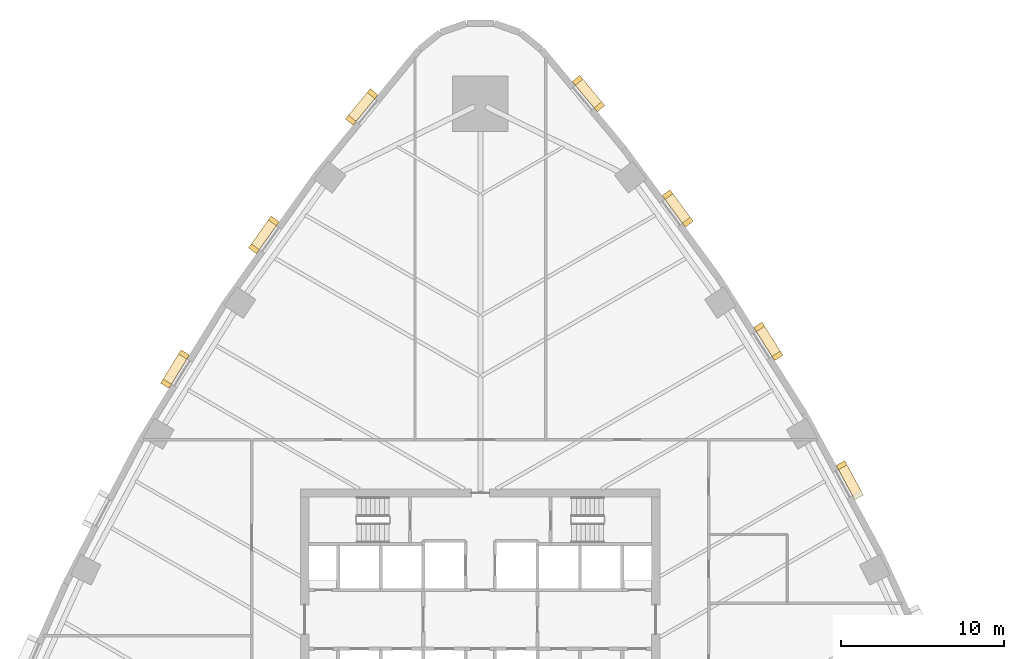
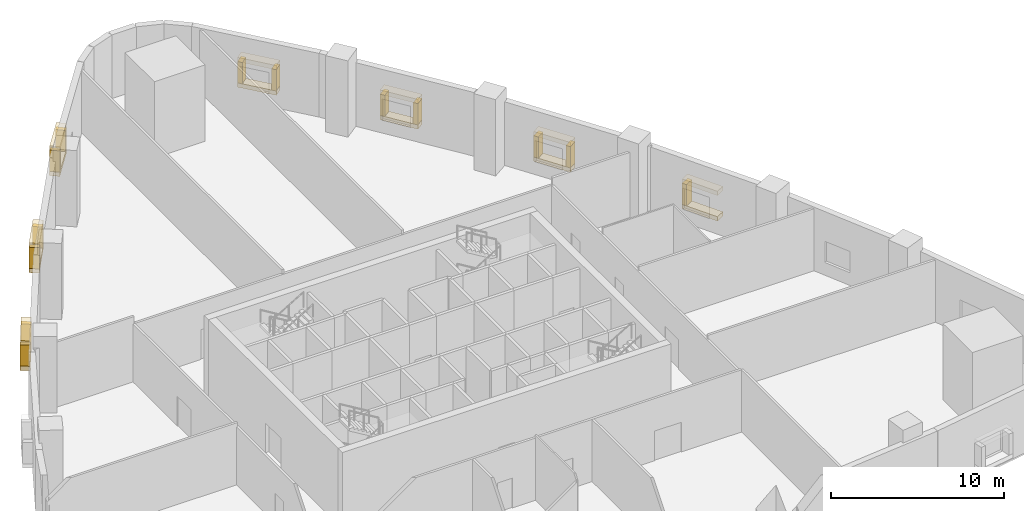
# One storey, part 10 of 11: 27 coverings.
"""IFC4 building model written with IfcOpenShell, lengths in metres."""

from ifc_helpers import new_model, si_unit, direction, frame, origin, origin_2d, place, context, subcontext, project, spatial, rectangle, extrude, material, layer, layer_set, type_object, element, save


model = new_model("IFC4")

# Units and contexts
model_context = context("Model", 3, precision=1e-05, world=origin(), true_north=direction((0.0, 1.0)))
body_context = subcontext(model_context, "Body", "Model", "MODEL_VIEW")
ifc_project = project(units=[si_unit("LENGTHUNIT", "METRE"), si_unit("AREAUNIT", "SQUARE_METRE"), si_unit("VOLUMEUNIT", "CUBIC_METRE"), si_unit("PLANEANGLEUNIT", "RADIAN"), si_unit("MASSUNIT", "GRAM", prefix="KILO")], contexts=[model_context])

# Site, building, storey
site_placement = place(None, origin())
site = spatial("IfcSite", under=ifc_project, at=site_placement, CompositionType="ELEMENT")
building_placement = place(site_placement, origin())
building = spatial("IfcBuilding", under=site, at=building_placement, Name="Sierra Prisma Convention Tower", CompositionType="ELEMENT")
storey_placement = place(building_placement, frame((0.0, 0.0, 28.800048828125)))
storey = spatial("IfcBuildingStorey", under=building, at=storey_placement, Name="L04", CompositionType="ELEMENT", Elevation=28.800048828125)

# Coverings
ifc_material = material(Name="Lime plaster, terracotta pigment", Category="masonry")
ifc_layer = layer(ifc_material, 0.300048828125)
ifc_layer_set = layer_set([ifc_layer], Name="Plaster reveal frame")
covering_type = type_object("IfcCoveringType", Name="Plaster reveal frame", PredefinedType="CLADDING", material=ifc_layer_set)
covering_placement = place(storey_placement, frame((22.1318359375, 9.44970703125, 0.89990234375), z_axis=(0.0, 0.0, 1.0), x_axis=(0.476256619921, -0.879306335688, 0.0)))
element("IfcCovering", 1, at=covering_placement, inside=storey, type_object=covering_type, Name="Window reveal jamb", PredefinedType="CLADDING", context=body_context, shape_type="SweptSolid", body=[
    extrude(rectangle(XDim=0.300048828125, YDim=0.60009765625, at=origin_2d()), origin(), (0.0, 0.0, 1.0), 1.5),
])
for number, where, z_axis, x_axis, name in (
    (2, (22.632080078125, 8.526611328125, 2.39990234375), (0.0, 0.0, 1.0), (0.476256619921, -0.879306335688, 0.0), "Window reveal head"),
    (3, (22.632080078125, 8.526611328125, 0.60009765625), (0.0, 0.0, 1.0), (0.476256619921, -0.879306335688, 0.0), "Window reveal sill"),
):
    element("IfcCovering", number, at=place(storey_placement, frame(where, z_axis=z_axis, x_axis=x_axis)), inside=storey, type_object=covering_type, Name=name, PredefinedType="CLADDING", context=body_context, shape_type="SweptSolid", body=[
        extrude(rectangle(XDim=2.39990234375, YDim=0.60009765625, at=origin_2d()), origin(), (0.0, 0.0, 1.0), 0.300048828125),
    ])
for number, where, z_axis, x_axis, name in (
    (4, (17.081298828125, 17.919189453125, 0.89990234375), (0.0, 0.0, 1.0), (0.534914305344, -0.844906317847, 0.0), "Window reveal jamb"),
    (5, (18.20458984375, 16.14501953125, 0.89990234375), (0.0, 0.0, 1.0), (0.534914305344, -0.844906317847, 0.0), "Window reveal jamb"),
):
    element("IfcCovering", number, at=place(storey_placement, frame(where, z_axis=z_axis, x_axis=x_axis)), inside=storey, type_object=covering_type, Name=name, PredefinedType="CLADDING", context=body_context, shape_type="SweptSolid", body=[
        extrude(rectangle(XDim=0.300048828125, YDim=0.60009765625, at=origin_2d()), origin(), (0.0, 0.0, 1.0), 1.5),
    ])
for number, where, z_axis, x_axis, name in (
    (6, (17.642822265625, 17.031982421875, 2.39990234375), (0.0, 0.0, 1.0), (0.534914305344, -0.844906317847, 0.0), "Window reveal head"),
    (7, (17.642822265625, 17.031982421875, 0.60009765625), (0.0, 0.0, 1.0), (0.534914305344, -0.844906317847, 0.0), "Window reveal sill"),
):
    element("IfcCovering", number, at=place(storey_placement, frame(where, z_axis=z_axis, x_axis=x_axis)), inside=storey, type_object=covering_type, Name=name, PredefinedType="CLADDING", context=body_context, shape_type="SweptSolid", body=[
        extrude(rectangle(XDim=2.39990234375, YDim=0.60009765625, at=origin_2d()), origin(), (0.0, 0.0, 1.0), 0.300048828125),
    ])
for number, where, z_axis, x_axis, name in (
    (8, (11.466796875, 26.025634765625, 0.89990234375), (0.0, 0.0, 1.0), (0.591098501398, -0.806599381133, 0.0), "Window reveal jamb"),
    (9, (12.7080078125, 24.331787109375, 0.89990234375), (0.0, 0.0, 1.0), (0.591098501398, -0.806599381133, 0.0), "Window reveal jamb"),
):
    element("IfcCovering", number, at=place(storey_placement, frame(where, z_axis=z_axis, x_axis=x_axis)), inside=storey, type_object=covering_type, Name=name, PredefinedType="CLADDING", context=body_context, shape_type="SweptSolid", body=[
        extrude(rectangle(XDim=0.300048828125, YDim=0.60009765625, at=origin_2d()), origin(), (0.0, 0.0, 1.0), 1.5),
    ])
for number, where, z_axis, x_axis, name in (
    (10, (12.08740234375, 25.1787109375, 2.39990234375), (0.0, 0.0, 1.0), (0.591098501398, -0.806599381133, 0.0), "Window reveal head"),
    (11, (12.08740234375, 25.1787109375, 0.60009765625), (0.0, 0.0, 1.0), (0.591098501398, -0.806599381133, 0.0), "Window reveal sill"),
):
    element("IfcCovering", number, at=place(storey_placement, frame(where, z_axis=z_axis, x_axis=x_axis)), inside=storey, type_object=covering_type, Name=name, PredefinedType="CLADDING", context=body_context, shape_type="SweptSolid", body=[
        extrude(rectangle(XDim=2.39990234375, YDim=0.60009765625, at=origin_2d()), origin(), (0.0, 0.0, 1.0), 0.300048828125),
    ])
for number, where, z_axis, x_axis, name in (
    (12, (5.95654296875, 33.0224609375, 0.89990234375), (0.0, 0.0, 1.0), (0.639358485546, -0.768908789753, 0.0), "Window reveal jamb"),
    (13, (7.29931640625, 31.40771484375, 0.89990234375), (0.0, 0.0, 1.0), (0.639358485546, -0.768908789753, 0.0), "Window reveal jamb"),
):
    element("IfcCovering", number, at=place(storey_placement, frame(where, z_axis=z_axis, x_axis=x_axis)), inside=storey, type_object=covering_type, Name=name, PredefinedType="CLADDING", context=body_context, shape_type="SweptSolid", body=[
        extrude(rectangle(XDim=0.300048828125, YDim=0.60009765625, at=origin_2d()), origin(), (0.0, 0.0, 1.0), 1.5),
    ])
for number, where, z_axis, x_axis, name in (
    (14, (6.6279296875, 32.215087890625, 2.39990234375), (0.0, 0.0, 1.0), (0.639358485546, -0.768908789753, 0.0), "Window reveal head"),
    (15, (6.6279296875, 32.215087890625, 0.60009765625), (0.0, 0.0, 1.0), (0.639358485546, -0.768908789753, 0.0), "Window reveal sill"),
):
    element("IfcCovering", number, at=place(storey_placement, frame(where, z_axis=z_axis, x_axis=x_axis)), inside=storey, type_object=covering_type, Name=name, PredefinedType="CLADDING", context=body_context, shape_type="SweptSolid", body=[
        extrude(rectangle(XDim=2.39990234375, YDim=0.60009765625, at=origin_2d()), origin(), (0.0, 0.0, 1.0), 0.300048828125),
    ])
for number, where, z_axis, x_axis, name in (
    (16, (-7.93408203125, 30.580810546875, 0.89990234375), (0.0, 0.0, 1.0), (0.634115316669, 0.773238491777, 0.0), "Window reveal jamb"),
    (17, (-6.602294921875, 32.20458984375, 0.89990234375), (0.0, 0.0, 1.0), (0.634115316669, 0.773238491777, 0.0), "Window reveal jamb"),
):
    element("IfcCovering", number, at=place(storey_placement, frame(where, z_axis=z_axis, x_axis=x_axis)), inside=storey, type_object=covering_type, Name=name, PredefinedType="CLADDING", context=body_context, shape_type="SweptSolid", body=[
        extrude(rectangle(XDim=0.300048828125, YDim=0.60009765625, at=origin_2d()), origin(), (0.0, 0.0, 1.0), 1.5),
    ])
for number, where, z_axis, x_axis, name in (
    (18, (-7.268310546875, 31.392578125, 2.39990234375), (0.0, 0.0, 1.0), (0.634115316669, 0.773238491777, 0.0), "Window reveal head"),
    (19, (-7.268310546875, 31.392578125, 0.60009765625), (0.0, 0.0, 1.0), (0.634115316669, 0.773238491777, 0.0), "Window reveal sill"),
):
    element("IfcCovering", number, at=place(storey_placement, frame(where, z_axis=z_axis, x_axis=x_axis)), inside=storey, type_object=covering_type, Name=name, PredefinedType="CLADDING", context=body_context, shape_type="SweptSolid", body=[
        extrude(rectangle(XDim=2.39990234375, YDim=0.60009765625, at=origin_2d()), origin(), (0.0, 0.0, 1.0), 0.300048828125),
    ])
for number, where, z_axis, x_axis, name in (
    (20, (-13.866455078125, 22.703857421875, 0.89990234375), (0.0, 0.0, 1.0), (0.58007190198, 0.814565275797, 0.0), "Window reveal jamb"),
    (21, (-12.648193359375, 24.414306640625, 0.89990234375), (0.0, 0.0, 1.0), (0.58007190198, 0.814565275797, 0.0), "Window reveal jamb"),
):
    element("IfcCovering", number, at=place(storey_placement, frame(where, z_axis=z_axis, x_axis=x_axis)), inside=storey, type_object=covering_type, Name=name, PredefinedType="CLADDING", context=body_context, shape_type="SweptSolid", body=[
        extrude(rectangle(XDim=0.300048828125, YDim=0.60009765625, at=origin_2d()), origin(), (0.0, 0.0, 1.0), 1.5),
    ])
for number, where, z_axis, x_axis, name in (
    (22, (-13.25732421875, 23.55908203125, 2.39990234375), (0.0, 0.0, 1.0), (0.58007190198, 0.814565275797, 0.0), "Window reveal head"),
    (23, (-13.25732421875, 23.55908203125, 0.60009765625), (0.0, 0.0, 1.0), (0.58007190198, 0.814565275797, 0.0), "Window reveal sill"),
):
    element("IfcCovering", number, at=place(storey_placement, frame(where, z_axis=z_axis, x_axis=x_axis)), inside=storey, type_object=covering_type, Name=name, PredefinedType="CLADDING", context=body_context, shape_type="SweptSolid", body=[
        extrude(rectangle(XDim=2.39990234375, YDim=0.60009765625, at=origin_2d()), origin(), (0.0, 0.0, 1.0), 0.300048828125),
    ])
for number, where, z_axis, x_axis, name in (
    (24, (-19.249755859375, 14.44189453125, 0.89990234375), (0.0, 0.0, 1.0), (0.523373314454, 0.852103499416, 0.0), "Window reveal jamb"),
    (25, (-18.150634765625, 16.231201171875, 0.89990234375), (0.0, 0.0, 1.0), (0.523373314454, 0.852103499416, 0.0), "Window reveal jamb"),
):
    element("IfcCovering", number, at=place(storey_placement, frame(where, z_axis=z_axis, x_axis=x_axis)), inside=storey, type_object=covering_type, Name=name, PredefinedType="CLADDING", context=body_context, shape_type="SweptSolid", body=[
        extrude(rectangle(XDim=0.300048828125, YDim=0.60009765625, at=origin_2d()), origin(), (0.0, 0.0, 1.0), 1.5),
    ])
for number, where, z_axis, x_axis, name in (
    (26, (-18.7001953125, 15.336669921875, 2.39990234375), (0.0, 0.0, 1.0), (0.523373314454, 0.852103499416, 0.0), "Window reveal head"),
    (27, (-18.7001953125, 15.336669921875, 0.60009765625), (0.0, 0.0, 1.0), (0.523373314454, 0.852103499416, 0.0), "Window reveal sill"),
):
    element("IfcCovering", number, at=place(storey_placement, frame(where, z_axis=z_axis, x_axis=x_axis)), inside=storey, type_object=covering_type, Name=name, PredefinedType="CLADDING", context=body_context, shape_type="SweptSolid", body=[
        extrude(rectangle(XDim=2.39990234375, YDim=0.60009765625, at=origin_2d()), origin(), (0.0, 0.0, 1.0), 0.300048828125),
    ])

save(model, "model.ifc")
